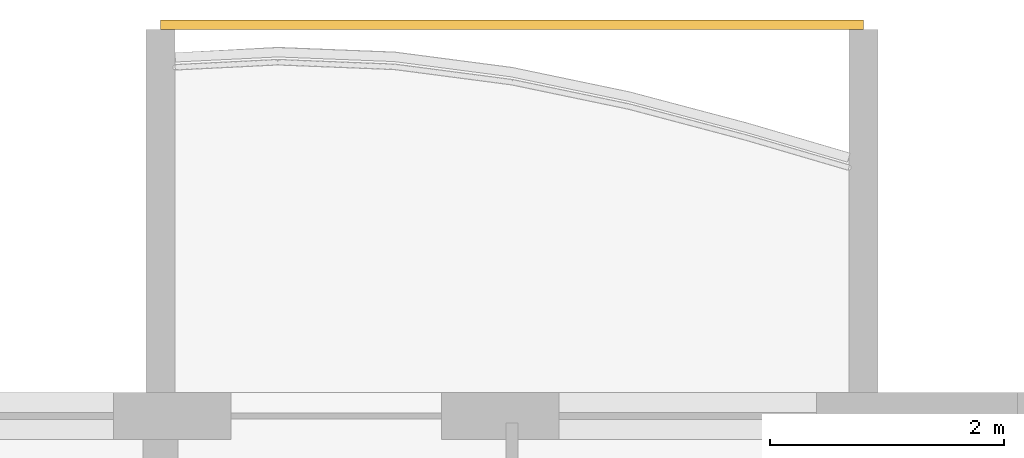
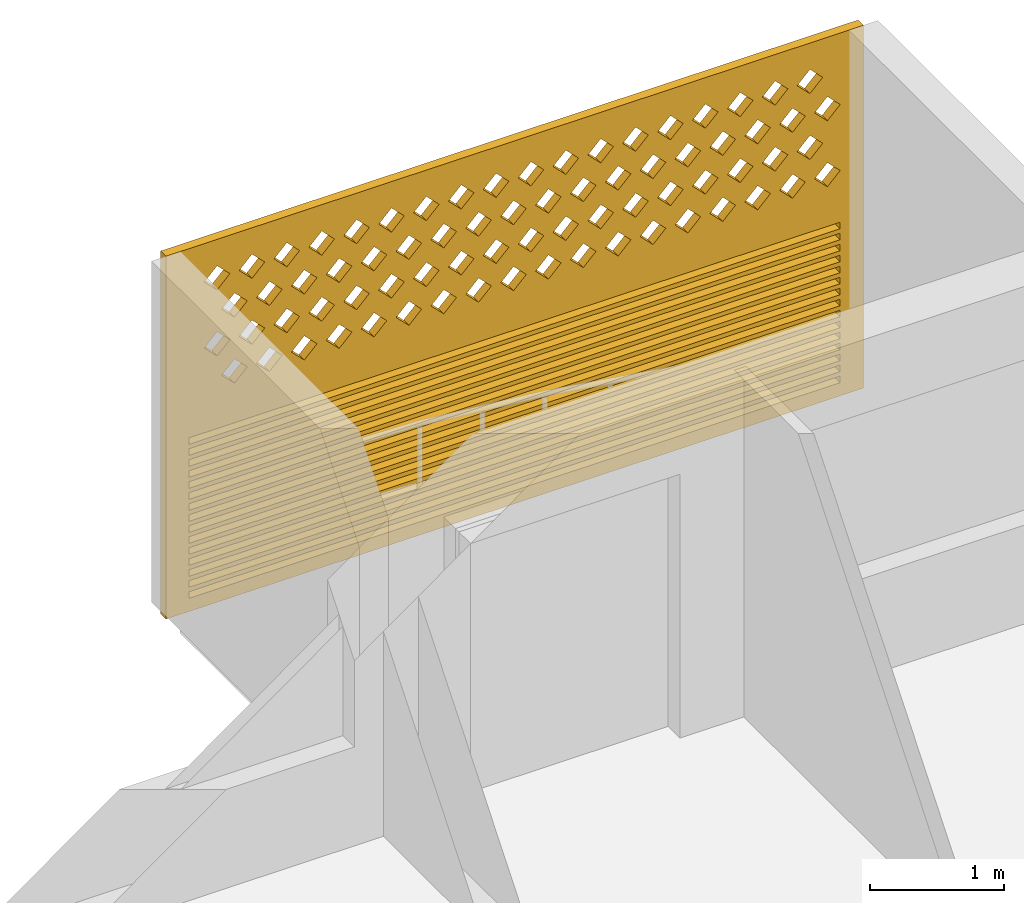
# One storey, part 32 of 32: 1 covering.
"""IFC4 building model written with IfcOpenShell, lengths in metres."""

import ifcopenshell
import ifcopenshell.guid

model = None  # the IFC model being written
_history = None  # IfcOwnerHistory: only IFC2X3 demands one
_inside = {}  # id of a spatial element -> (the spatial element, [elements in it])
_under = {}  # id of a project, library or spatial element -> (it, [spatial elements below it])
_declared = {}  # id of a project -> (the project, [libraries it declares])
_typed = {}  # id of a type object -> (the type object, [elements of that type])
_made_of = {}  # id of a material, layer set ... -> (it, [elements and type objects made of it])


def new_model(schema):
    """Start an empty IFC model of exactly this schema.

    Asked for "IFC4X3", IfcOpenShell would pick the latest addendum, in which some entities
    have other attributes; the version numbers below select the first issue.
    IFC2X3 requires an IfcOwnerHistory on every rooted entity: one is made here for all.
    """
    global model, _history
    if schema == "IFC4X3":
        model = ifcopenshell.file(schema_version=(4, 3, 0, 0))
    else:
        model = ifcopenshell.file(schema=schema)
    _inside.clear()
    _under.clear()
    _declared.clear()
    _typed.clear()
    _made_of.clear()
    _history = None
    if model.schema == "IFC2X3":
        org = make("IfcOrganization", Name="unknown")
        user = make(
            "IfcPersonAndOrganization",
            ThePerson=make("IfcPerson", FamilyName="unknown"),
            TheOrganization=org,
        )
        app = make(
            "IfcApplication",
            ApplicationDeveloper=org,
            Version="unknown",
            ApplicationFullName="unknown",
            ApplicationIdentifier="unknown",
        )
        _history = make(
            "IfcOwnerHistory",
            OwningUser=user,
            OwningApplication=app,
            ChangeAction="ADDED",
            CreationDate=0,
        )
    return model


def make(cls, **values):
    """One entity of the class cls with the attributes given. An attribute that is None is left unset."""
    return model.create_entity(
        cls, **{name: value for name, value in values.items() if value is not None}
    )


def rooted(cls, **values):
    """An entity with a GlobalId (a new one), such as an element, a storey or a relation."""
    return make(cls, GlobalId=ifcopenshell.guid.new(), OwnerHistory=_history, **values)


def si_unit(unit_type, name, prefix=None):
    """IfcSIUnit, for example si_unit("LENGTHUNIT", "METRE", prefix="MILLI")."""
    return make("IfcSIUnit", UnitType=unit_type, Prefix=prefix, Name=name)


def assignment(units):
    """IfcUnitAssignment: the units of a project."""
    return None if units is None else make("IfcUnitAssignment", Units=units)


def point(xyz):
    """IfcCartesianPoint."""
    return None if xyz is None else make("IfcCartesianPoint", Coordinates=xyz)


def direction(xyz):
    """IfcDirection."""
    return None if xyz is None else make("IfcDirection", DirectionRatios=xyz)


def frame(location, z_axis=None, x_axis=None):
    """IfcAxis2Placement3D, a coordinate frame: its origin and axes. An axis left out is left unset."""
    return make(
        "IfcAxis2Placement3D",
        Location=point(location),
        Axis=direction(z_axis),
        RefDirection=direction(x_axis),
    )


def origin():
    """The frame at (0, 0, 0) with its axes left unset."""
    return frame((0.0, 0.0, 0.0))


def place(relative_to, where):
    """IfcLocalPlacement: puts the frame where relative to a parent placement (None: the world)."""
    return make(
        "IfcLocalPlacement", PlacementRelTo=relative_to, RelativePlacement=where
    )


def context(
    kind, dimensions, precision=None, world=None, true_north=None, identifier=None
):
    """IfcGeometricRepresentationContext, for example the 3D "Model" context."""
    return make(
        "IfcGeometricRepresentationContext",
        ContextIdentifier=identifier,
        ContextType=kind,
        CoordinateSpaceDimension=dimensions,
        Precision=precision,
        WorldCoordinateSystem=world,
        TrueNorth=true_north,
    )


def subcontext(parent, identifier, kind, view, scale=None):
    """IfcGeometricRepresentationSubContext, for example "Body" below "Model"."""
    return make(
        "IfcGeometricRepresentationSubContext",
        ContextIdentifier=identifier,
        ContextType=kind,
        ParentContext=parent,
        TargetScale=scale,
        TargetView=view,
    )


def project(units=None, contexts=None):
    """IfcProject with its units and contexts."""
    return rooted(
        "IfcProject",
        Name="project",
        RepresentationContexts=contexts,
        UnitsInContext=assignment(units),
    )


def spatial(cls, under=None, at=None, **own):
    """A site, building, storey or space (cls), placed at a placement, below another one or the project."""
    s = rooted(cls, ObjectPlacement=at, **own)
    if under is not None:
        _under.setdefault(under.id(), (under, []))[1].append(s)
    return s


def polyline(points):
    """IfcPolyline through the points."""
    return make("IfcPolyline", Points=[point(p) for p in points])


def outline(outer, holes=None, kind="AREA"):
    """IfcArbitraryClosedProfileDef: a profile drawn as a closed curve; with holes, ...WithVoids."""
    if holes is None:
        return make("IfcArbitraryClosedProfileDef", ProfileType=kind, OuterCurve=outer)
    return make(
        "IfcArbitraryProfileDefWithVoids",
        ProfileType=kind,
        OuterCurve=outer,
        InnerCurves=holes,
    )


def extrude(swept, where, along, depth):
    """IfcExtrudedAreaSolid: the profile swept, set in the frame where, extruded along a direction by depth."""
    return make(
        "IfcExtrudedAreaSolid",
        SweptArea=swept,
        Position=where,
        ExtrudedDirection=direction(along),
        Depth=depth,
    )


def shape(context_of_items, identifier, shape_type, items):
    """IfcShapeRepresentation: the items that make up one representation, for example the "Body"."""
    return make(
        "IfcShapeRepresentation",
        ContextOfItems=context_of_items,
        RepresentationIdentifier=identifier,
        RepresentationType=shape_type,
        Items=items,
    )


def source(mapping_origin, context_of_items, identifier, shape_type, items):
    """IfcRepresentationMap: a shape defined once, which mapped items show again and again."""
    return make(
        "IfcRepresentationMap",
        MappingOrigin=mapping_origin,
        MappedRepresentation=shape(context_of_items, identifier, shape_type, items),
    )


def transform(
    local_origin,
    x_axis=None,
    y_axis=None,
    z_axis=None,
    scale=None,
    scale2=None,
    scale3=None,
    uniform=True,
):
    """IfcCartesianTransformationOperator3D, or its non-uniform kind. x_axis, y_axis, z_axis: its Axis1, 2, 3."""
    if uniform:
        return make(
            "IfcCartesianTransformationOperator3D",
            Axis1=direction(x_axis),
            Axis2=direction(y_axis),
            LocalOrigin=point(local_origin),
            Scale=scale,
            Axis3=direction(z_axis),
        )
    return make(
        "IfcCartesianTransformationOperator3DnonUniform",
        Axis1=direction(x_axis),
        Axis2=direction(y_axis),
        LocalOrigin=point(local_origin),
        Scale=scale,
        Axis3=direction(z_axis),
        Scale2=scale2,
        Scale3=scale3,
    )


def mapped(mapping_source, mapping_target):
    """IfcMappedItem: shows the shape of a source again, moved by a transform."""
    return make(
        "IfcMappedItem", MappingSource=mapping_source, MappingTarget=mapping_target
    )


def material(Name=None, Category=None):
    """IfcMaterial."""
    return make("IfcMaterial", Name=Name, Category=Category)


def material_profile(
    of_material, cross_section, Name=None, Category=None, Priority=None
):
    """IfcMaterialProfile: a cross section and its material."""
    return make(
        "IfcMaterialProfile",
        Name=Name,
        Material=of_material,
        Profile=cross_section,
        Priority=Priority,
        Category=Category,
    )


def profile_set(profiles, Name=None, composite=None):
    """IfcMaterialProfileSet."""
    return make(
        "IfcMaterialProfileSet",
        Name=Name,
        MaterialProfiles=profiles,
        CompositeProfile=composite,
    )


def made_of(thing, what):
    """Note that an element or type object is made of a material, layer set ...; save() writes the relation."""
    if what is not None:
        _made_of.setdefault(what.id(), (what, []))[1].append(thing)
    return thing


def type_object(cls, material=None, **own):
    """A type object (cls), such as IfcWallType, which elements share."""
    return made_of(rooted(cls, **own), material)


def element(
    cls,
    number,
    at=None,
    inside=None,
    cuts=None,
    type_object=None,
    material=None,
    context=None,
    identifier="Body",
    shape_type=None,
    held_by="IfcProductDefinitionShape",
    body=None,
    shapes=None,
    **own,
):
    """One element of the class cls, such as IfcWall. Its Tag is "e" and its number.

    at: its placement. inside: the storey or other place that contains it. cuts: it is an
    opening in that element (IfcRelVoidsElement). A single representation is given by context,
    identifier, shape_type and body (its items); several are given by shapes. held_by: the class
    of the entity that holds the representations. save() writes the other relations.
    """
    e = rooted(cls, Tag="e%d" % number, ObjectPlacement=at, **own)
    if body is not None:
        shapes = [shape(context, identifier, shape_type, body)]
    if shapes is not None:
        e.Representation = make(held_by, Representations=shapes)
    if inside is not None:
        _inside.setdefault(inside.id(), (inside, []))[1].append(e)
    if cuts is not None:
        rooted(
            "IfcRelVoidsElement", RelatingBuildingElement=cuts, RelatedOpeningElement=e
        )
    if type_object is not None:
        _typed.setdefault(type_object.id(), (type_object, []))[1].append(e)
    return made_of(e, material)


def aggregate(whole, parts):
    """IfcRelAggregates: a whole, such as a stair, and the parts it consists of."""
    return rooted("IfcRelAggregates", RelatingObject=whole, RelatedObjects=parts)


def save(model, path):
    """Write the relations noted so far, then the file.

    IfcRelAggregates (storeys below a building ...), IfcRelContainedInSpatialStructure (elements
    in a storey), IfcRelDefinesByType, IfcRelAssociatesMaterial and IfcRelDeclares: one each for
    every whole, place, type object, material and project.
    """
    for whole, parts in _under.values():
        aggregate(whole, parts)
    for where, things in _inside.values():
        rooted(
            "IfcRelContainedInSpatialStructure",
            RelatedElements=things,
            RelatingStructure=where,
        )
    for kind, things in _typed.values():
        rooted("IfcRelDefinesByType", RelatedObjects=things, RelatingType=kind)
    for what, things in _made_of.values():
        rooted("IfcRelAssociatesMaterial", RelatedObjects=things, RelatingMaterial=what)
    for by, libraries in _declared.values():
        rooted("IfcRelDeclares", RelatingContext=by, RelatedDefinitions=libraries)
    model.write(path)


model = new_model("IFC4")

# Units and contexts
model_context = context("Model", 3, precision=1e-05, world=origin(), true_north=direction((0.0, 1.0)))
body_context = subcontext(model_context, "Body", "Model", "MODEL_VIEW")
ifc_project = project(units=[si_unit("LENGTHUNIT", "METRE"), si_unit("AREAUNIT", "SQUARE_METRE"), si_unit("VOLUMEUNIT", "CUBIC_METRE"), si_unit("PLANEANGLEUNIT", "RADIAN"), si_unit("MASSUNIT", "GRAM", prefix="KILO")], contexts=[model_context])

# Site, building, storey
site_placement = place(None, origin())
site = spatial("IfcSite", under=ifc_project, at=site_placement, CompositionType="ELEMENT")
building_placement = place(site_placement, origin())
building = spatial("IfcBuilding", under=site, at=building_placement, Name="Poui Terraces", CompositionType="ELEMENT")
storey_placement = place(building_placement, frame((0.0, 0.0, 125.699951171875)))
storey = spatial("IfcBuildingStorey", under=building, at=storey_placement, Name="L34", CompositionType="ELEMENT", Elevation=125.699951171875)

# Covering
ifc_material = material(Name="Terracotta screen", Category="masonry")
ifc_material_profile = material_profile(ifc_material, outline(polyline([(-3.0, -1.64990234375), (3.0, -1.64990234375), (3.0, 1.64990234375), (-3.0, 1.64990234375), (-3.0, -1.64990234375)]), holes=[polyline([(-2.800048828125, 0.39990234375), (-2.68994140625, 0.2900390625), (-2.580078125, 0.39990234375), (-2.68994140625, 0.510009765625), (-2.800048828125, 0.39990234375)]), polyline([(-2.5, 0.39990234375), (-2.389892578125, 0.2900390625), (-2.280029296875, 0.39990234375), (-2.389892578125, 0.510009765625), (-2.5, 0.39990234375)]), polyline([(-2.199951171875, 0.39990234375), (-2.090087890625, 0.2900390625), (-1.97998046875, 0.39990234375), (-2.090087890625, 0.510009765625), (-2.199951171875, 0.39990234375)]), polyline([(-1.89990234375, 0.39990234375), (-1.7900390625, 0.2900390625), (-1.679931640625, 0.39990234375), (-1.7900390625, 0.510009765625), (-1.89990234375, 0.39990234375)]), polyline([(-1.60009765625, 0.39990234375), (-1.489990234375, 0.2900390625), (-1.3798828125, 0.39990234375), (-1.489990234375, 0.510009765625), (-1.60009765625, 0.39990234375)]), polyline([(-1.300048828125, 0.39990234375), (-1.18994140625, 0.2900390625), (-1.080078125, 0.39990234375), (-1.18994140625, 0.510009765625), (-1.300048828125, 0.39990234375)]), polyline([(-1.0, 0.39990234375), (-0.889892578125, 0.2900390625), (-0.780029296875, 0.39990234375), (-0.889892578125, 0.510009765625), (-1.0, 0.39990234375)]), polyline([(-0.699951171875, 0.39990234375), (-0.590087890625, 0.2900390625), (-0.47998046875, 0.39990234375), (-0.590087890625, 0.510009765625), (-0.699951171875, 0.39990234375)]), polyline([(-0.39990234375, 0.39990234375), (-0.2900390625, 0.2900390625), (-0.179931640625, 0.39990234375), (-0.2900390625, 0.510009765625), (-0.39990234375, 0.39990234375)]), polyline([(-0.10009765625, 0.39990234375), (0.010009765625, 0.2900390625), (0.1201171875, 0.39990234375), (0.010009765625, 0.510009765625), (-0.10009765625, 0.39990234375)]), polyline([(0.199951171875, 0.39990234375), (0.31005859375, 0.2900390625), (0.419921875, 0.39990234375), (0.31005859375, 0.510009765625), (0.199951171875, 0.39990234375)]), polyline([(0.5, 0.39990234375), (0.610107421875, 0.2900390625), (0.719970703125, 0.39990234375), (0.610107421875, 0.510009765625), (0.5, 0.39990234375)]), polyline([(0.800048828125, 0.39990234375), (0.909912109375, 0.2900390625), (1.02001953125, 0.39990234375), (0.909912109375, 0.510009765625), (0.800048828125, 0.39990234375)]), polyline([(1.10009765625, 0.39990234375), (1.2099609375, 0.2900390625), (1.320068359375, 0.39990234375), (1.2099609375, 0.510009765625), (1.10009765625, 0.39990234375)]), polyline([(1.39990234375, 0.39990234375), (1.510009765625, 0.2900390625), (1.6201171875, 0.39990234375), (1.510009765625, 0.510009765625), (1.39990234375, 0.39990234375)]), polyline([(1.699951171875, 0.39990234375), (1.81005859375, 0.2900390625), (1.919921875, 0.39990234375), (1.81005859375, 0.510009765625), (1.699951171875, 0.39990234375)]), polyline([(2.0, 0.39990234375), (2.110107421875, 0.2900390625), (2.219970703125, 0.39990234375), (2.110107421875, 0.510009765625), (2.0, 0.39990234375)]), polyline([(2.300048828125, 0.39990234375), (2.409912109375, 0.2900390625), (2.52001953125, 0.39990234375), (2.409912109375, 0.510009765625), (2.300048828125, 0.39990234375)]), polyline([(-2.64990234375, 0.699951171875), (-2.5400390625, 0.590087890625), (-2.429931640625, 0.699951171875), (-2.5400390625, 0.81005859375), (-2.64990234375, 0.699951171875)]), polyline([(-2.35009765625, 0.699951171875), (-2.239990234375, 0.590087890625), (-2.1298828125, 0.699951171875), (-2.239990234375, 0.81005859375), (-2.35009765625, 0.699951171875)]), polyline([(-2.050048828125, 0.699951171875), (-1.93994140625, 0.590087890625), (-1.830078125, 0.699951171875), (-1.93994140625, 0.81005859375), (-2.050048828125, 0.699951171875)]), polyline([(-1.75, 0.699951171875), (-1.639892578125, 0.590087890625), (-1.530029296875, 0.699951171875), (-1.639892578125, 0.81005859375), (-1.75, 0.699951171875)]), polyline([(-1.449951171875, 0.699951171875), (-1.340087890625, 0.590087890625), (-1.22998046875, 0.699951171875), (-1.340087890625, 0.81005859375), (-1.449951171875, 0.699951171875)]), polyline([(-1.14990234375, 0.699951171875), (-1.0400390625, 0.590087890625), (-0.929931640625, 0.699951171875), (-1.0400390625, 0.81005859375), (-1.14990234375, 0.699951171875)]), polyline([(-0.85009765625, 0.699951171875), (-0.739990234375, 0.590087890625), (-0.6298828125, 0.699951171875), (-0.739990234375, 0.81005859375), (-0.85009765625, 0.699951171875)]), polyline([(-0.550048828125, 0.699951171875), (-0.43994140625, 0.590087890625), (-0.330078125, 0.699951171875), (-0.43994140625, 0.81005859375), (-0.550048828125, 0.699951171875)]), polyline([(-0.25, 0.699951171875), (-0.139892578125, 0.590087890625), (-0.030029296875, 0.699951171875), (-0.139892578125, 0.81005859375), (-0.25, 0.699951171875)]), polyline([(0.050048828125, 0.699951171875), (0.159912109375, 0.590087890625), (0.27001953125, 0.699951171875), (0.159912109375, 0.81005859375), (0.050048828125, 0.699951171875)]), polyline([(0.35009765625, 0.699951171875), (0.4599609375, 0.590087890625), (0.570068359375, 0.699951171875), (0.4599609375, 0.81005859375), (0.35009765625, 0.699951171875)]), polyline([(0.64990234375, 0.699951171875), (0.760009765625, 0.590087890625), (0.8701171875, 0.699951171875), (0.760009765625, 0.81005859375), (0.64990234375, 0.699951171875)]), polyline([(0.949951171875, 0.699951171875), (1.06005859375, 0.590087890625), (1.169921875, 0.699951171875), (1.06005859375, 0.81005859375), (0.949951171875, 0.699951171875)]), polyline([(1.25, 0.699951171875), (1.360107421875, 0.590087890625), (1.469970703125, 0.699951171875), (1.360107421875, 0.81005859375), (1.25, 0.699951171875)]), polyline([(1.550048828125, 0.699951171875), (1.659912109375, 0.590087890625), (1.77001953125, 0.699951171875), (1.659912109375, 0.81005859375), (1.550048828125, 0.699951171875)]), polyline([(1.85009765625, 0.699951171875), (1.9599609375, 0.590087890625), (2.070068359375, 0.699951171875), (1.9599609375, 0.81005859375), (1.85009765625, 0.699951171875)]), polyline([(2.14990234375, 0.699951171875), (2.260009765625, 0.590087890625), (2.3701171875, 0.699951171875), (2.260009765625, 0.81005859375), (2.14990234375, 0.699951171875)]), polyline([(2.449951171875, 0.699951171875), (2.56005859375, 0.590087890625), (2.669921875, 0.699951171875), (2.56005859375, 0.81005859375), (2.449951171875, 0.699951171875)]), polyline([(-2.800048828125, 1.0), (-2.68994140625, 0.889892578125), (-2.580078125, 1.0), (-2.68994140625, 1.110107421875), (-2.800048828125, 1.0)]), polyline([(-2.5, 1.0), (-2.389892578125, 0.889892578125), (-2.280029296875, 1.0), (-2.389892578125, 1.110107421875), (-2.5, 1.0)]), polyline([(-2.199951171875, 1.0), (-2.090087890625, 0.889892578125), (-1.97998046875, 1.0), (-2.090087890625, 1.110107421875), (-2.199951171875, 1.0)]), polyline([(-1.89990234375, 1.0), (-1.7900390625, 0.889892578125), (-1.679931640625, 1.0), (-1.7900390625, 1.110107421875), (-1.89990234375, 1.0)]), polyline([(-1.60009765625, 1.0), (-1.489990234375, 0.889892578125), (-1.3798828125, 1.0), (-1.489990234375, 1.110107421875), (-1.60009765625, 1.0)]), polyline([(-1.300048828125, 1.0), (-1.18994140625, 0.889892578125), (-1.080078125, 1.0), (-1.18994140625, 1.110107421875), (-1.300048828125, 1.0)]), polyline([(-1.0, 1.0), (-0.889892578125, 0.889892578125), (-0.780029296875, 1.0), (-0.889892578125, 1.110107421875), (-1.0, 1.0)]), polyline([(-0.699951171875, 1.0), (-0.590087890625, 0.889892578125), (-0.47998046875, 1.0), (-0.590087890625, 1.110107421875), (-0.699951171875, 1.0)]), polyline([(-0.39990234375, 1.0), (-0.2900390625, 0.889892578125), (-0.179931640625, 1.0), (-0.2900390625, 1.110107421875), (-0.39990234375, 1.0)]), polyline([(-0.10009765625, 1.0), (0.010009765625, 0.889892578125), (0.1201171875, 1.0), (0.010009765625, 1.110107421875), (-0.10009765625, 1.0)]), polyline([(0.199951171875, 1.0), (0.31005859375, 0.889892578125), (0.419921875, 1.0), (0.31005859375, 1.110107421875), (0.199951171875, 1.0)]), polyline([(0.5, 1.0), (0.610107421875, 0.889892578125), (0.719970703125, 1.0), (0.610107421875, 1.110107421875), (0.5, 1.0)]), polyline([(0.800048828125, 1.0), (0.909912109375, 0.889892578125), (1.02001953125, 1.0), (0.909912109375, 1.110107421875), (0.800048828125, 1.0)]), polyline([(1.10009765625, 1.0), (1.2099609375, 0.889892578125), (1.320068359375, 1.0), (1.2099609375, 1.110107421875), (1.10009765625, 1.0)]), polyline([(1.39990234375, 1.0), (1.510009765625, 0.889892578125), (1.6201171875, 1.0), (1.510009765625, 1.110107421875), (1.39990234375, 1.0)]), polyline([(1.699951171875, 1.0), (1.81005859375, 0.889892578125), (1.919921875, 1.0), (1.81005859375, 1.110107421875), (1.699951171875, 1.0)]), polyline([(2.0, 1.0), (2.110107421875, 0.889892578125), (2.219970703125, 1.0), (2.110107421875, 1.110107421875), (2.0, 1.0)]), polyline([(2.300048828125, 1.0), (2.409912109375, 0.889892578125), (2.52001953125, 1.0), (2.409912109375, 1.110107421875), (2.300048828125, 1.0)]), polyline([(-2.64990234375, 1.300048828125), (-2.5400390625, 1.18994140625), (-2.429931640625, 1.300048828125), (-2.5400390625, 1.409912109375), (-2.64990234375, 1.300048828125)]), polyline([(-2.35009765625, 1.300048828125), (-2.239990234375, 1.18994140625), (-2.1298828125, 1.300048828125), (-2.239990234375, 1.409912109375), (-2.35009765625, 1.300048828125)]), polyline([(-2.050048828125, 1.300048828125), (-1.93994140625, 1.18994140625), (-1.830078125, 1.300048828125), (-1.93994140625, 1.409912109375), (-2.050048828125, 1.300048828125)]), polyline([(-1.75, 1.300048828125), (-1.639892578125, 1.18994140625), (-1.530029296875, 1.300048828125), (-1.639892578125, 1.409912109375), (-1.75, 1.300048828125)]), polyline([(-1.449951171875, 1.300048828125), (-1.340087890625, 1.18994140625), (-1.22998046875, 1.300048828125), (-1.340087890625, 1.409912109375), (-1.449951171875, 1.300048828125)]), polyline([(-1.14990234375, 1.300048828125), (-1.0400390625, 1.18994140625), (-0.929931640625, 1.300048828125), (-1.0400390625, 1.409912109375), (-1.14990234375, 1.300048828125)]), polyline([(-0.85009765625, 1.300048828125), (-0.739990234375, 1.18994140625), (-0.6298828125, 1.300048828125), (-0.739990234375, 1.409912109375), (-0.85009765625, 1.300048828125)]), polyline([(-0.550048828125, 1.300048828125), (-0.43994140625, 1.18994140625), (-0.330078125, 1.300048828125), (-0.43994140625, 1.409912109375), (-0.550048828125, 1.300048828125)]), polyline([(-0.25, 1.300048828125), (-0.139892578125, 1.18994140625), (-0.030029296875, 1.300048828125), (-0.139892578125, 1.409912109375), (-0.25, 1.300048828125)]), polyline([(0.050048828125, 1.300048828125), (0.159912109375, 1.18994140625), (0.27001953125, 1.300048828125), (0.159912109375, 1.409912109375), (0.050048828125, 1.300048828125)]), polyline([(0.35009765625, 1.300048828125), (0.4599609375, 1.18994140625), (0.570068359375, 1.300048828125), (0.4599609375, 1.409912109375), (0.35009765625, 1.300048828125)]), polyline([(0.64990234375, 1.300048828125), (0.760009765625, 1.18994140625), (0.8701171875, 1.300048828125), (0.760009765625, 1.409912109375), (0.64990234375, 1.300048828125)]), polyline([(0.949951171875, 1.300048828125), (1.06005859375, 1.18994140625), (1.169921875, 1.300048828125), (1.06005859375, 1.409912109375), (0.949951171875, 1.300048828125)]), polyline([(1.25, 1.300048828125), (1.360107421875, 1.18994140625), (1.469970703125, 1.300048828125), (1.360107421875, 1.409912109375), (1.25, 1.300048828125)]), polyline([(1.550048828125, 1.300048828125), (1.659912109375, 1.18994140625), (1.77001953125, 1.300048828125), (1.659912109375, 1.409912109375), (1.550048828125, 1.300048828125)]), polyline([(1.85009765625, 1.300048828125), (1.9599609375, 1.18994140625), (2.070068359375, 1.300048828125), (1.9599609375, 1.409912109375), (1.85009765625, 1.300048828125)]), polyline([(2.14990234375, 1.300048828125), (2.260009765625, 1.18994140625), (2.3701171875, 1.300048828125), (2.260009765625, 1.409912109375), (2.14990234375, 1.300048828125)]), polyline([(2.449951171875, 1.300048828125), (2.56005859375, 1.18994140625), (2.669921875, 1.300048828125), (2.56005859375, 1.409912109375), (2.449951171875, 1.300048828125)]), polyline([(-2.800048828125, -1.530029296875), (2.800048828125, -1.530029296875), (2.800048828125, -1.469970703125), (-2.800048828125, -1.469970703125), (-2.800048828125, -1.530029296875)]), polyline([(-2.800048828125, -1.429931640625), (2.800048828125, -1.429931640625), (2.800048828125, -1.3701171875), (-2.800048828125, -1.3701171875), (-2.800048828125, -1.429931640625)]), polyline([(-2.800048828125, -1.330078125), (2.800048828125, -1.330078125), (2.800048828125, -1.27001953125), (-2.800048828125, -1.27001953125), (-2.800048828125, -1.330078125)]), polyline([(-2.800048828125, -1.22998046875), (2.800048828125, -1.22998046875), (2.800048828125, -1.169921875), (-2.800048828125, -1.169921875), (-2.800048828125, -1.22998046875)]), polyline([(-2.800048828125, -1.1298828125), (2.800048828125, -1.1298828125), (2.800048828125, -1.070068359375), (-2.800048828125, -1.070068359375), (-2.800048828125, -1.1298828125)]), polyline([(-2.800048828125, -1.030029296875), (2.800048828125, -1.030029296875), (2.800048828125, -0.969970703125), (-2.800048828125, -0.969970703125), (-2.800048828125, -1.030029296875)]), polyline([(-2.800048828125, -0.929931640625), (2.800048828125, -0.929931640625), (2.800048828125, -0.8701171875), (-2.800048828125, -0.8701171875), (-2.800048828125, -0.929931640625)]), polyline([(-2.800048828125, -0.830078125), (2.800048828125, -0.830078125), (2.800048828125, -0.77001953125), (-2.800048828125, -0.77001953125), (-2.800048828125, -0.830078125)]), polyline([(-2.800048828125, -0.72998046875), (2.800048828125, -0.72998046875), (2.800048828125, -0.669921875), (-2.800048828125, -0.669921875), (-2.800048828125, -0.72998046875)]), polyline([(-2.800048828125, -0.6298828125), (2.800048828125, -0.6298828125), (2.800048828125, -0.570068359375), (-2.800048828125, -0.570068359375), (-2.800048828125, -0.6298828125)]), polyline([(-2.800048828125, -0.530029296875), (2.800048828125, -0.530029296875), (2.800048828125, -0.469970703125), (-2.800048828125, -0.469970703125), (-2.800048828125, -0.530029296875)]), polyline([(-2.800048828125, -0.429931640625), (2.800048828125, -0.429931640625), (2.800048828125, -0.3701171875), (-2.800048828125, -0.3701171875), (-2.800048828125, -0.429931640625)]), polyline([(-2.800048828125, -0.330078125), (2.800048828125, -0.330078125), (2.800048828125, -0.27001953125), (-2.800048828125, -0.27001953125), (-2.800048828125, -0.330078125)]), polyline([(-2.800048828125, -0.22998046875), (2.800048828125, -0.22998046875), (2.800048828125, -0.169921875), (-2.800048828125, -0.169921875), (-2.800048828125, -0.22998046875)]), polyline([(-2.800048828125, -0.1298828125), (2.800048828125, -0.1298828125), (2.800048828125, -0.070068359375), (-2.800048828125, -0.070068359375), (-2.800048828125, -0.1298828125)])]), Name="TERRACOTTA SCREEN AND JALOUSIE LOUVRE 6000X3300")
ifc_profile_set = profile_set([ifc_material_profile], Name="Terracotta screen")
covering_type = type_object("IfcCoveringType", Name="TERRACOTTA SCREEN AND JALOUSIE LOUVRE 6000X3300", PredefinedType="CLADDING", material=ifc_profile_set)
shared_shape = source(origin(), body_context, "Body", "SweptSolid", [
    extrude(outline(polyline([(-3.0, -1.64990234375), (3.0, -1.64990234375), (3.0, 1.64990234375), (-3.0, 1.64990234375), (-3.0, -1.64990234375)]), holes=[polyline([(-2.800048828125, 0.39990234375), (-2.68994140625, 0.2900390625), (-2.580078125, 0.39990234375), (-2.68994140625, 0.510009765625), (-2.800048828125, 0.39990234375)]), polyline([(-2.5, 0.39990234375), (-2.389892578125, 0.2900390625), (-2.280029296875, 0.39990234375), (-2.389892578125, 0.510009765625), (-2.5, 0.39990234375)]), polyline([(-2.199951171875, 0.39990234375), (-2.090087890625, 0.2900390625), (-1.97998046875, 0.39990234375), (-2.090087890625, 0.510009765625), (-2.199951171875, 0.39990234375)]), polyline([(-1.89990234375, 0.39990234375), (-1.7900390625, 0.2900390625), (-1.679931640625, 0.39990234375), (-1.7900390625, 0.510009765625), (-1.89990234375, 0.39990234375)]), polyline([(-1.60009765625, 0.39990234375), (-1.489990234375, 0.2900390625), (-1.3798828125, 0.39990234375), (-1.489990234375, 0.510009765625), (-1.60009765625, 0.39990234375)]), polyline([(-1.300048828125, 0.39990234375), (-1.18994140625, 0.2900390625), (-1.080078125, 0.39990234375), (-1.18994140625, 0.510009765625), (-1.300048828125, 0.39990234375)]), polyline([(-1.0, 0.39990234375), (-0.889892578125, 0.2900390625), (-0.780029296875, 0.39990234375), (-0.889892578125, 0.510009765625), (-1.0, 0.39990234375)]), polyline([(-0.699951171875, 0.39990234375), (-0.590087890625, 0.2900390625), (-0.47998046875, 0.39990234375), (-0.590087890625, 0.510009765625), (-0.699951171875, 0.39990234375)]), polyline([(-0.39990234375, 0.39990234375), (-0.2900390625, 0.2900390625), (-0.179931640625, 0.39990234375), (-0.2900390625, 0.510009765625), (-0.39990234375, 0.39990234375)]), polyline([(-0.10009765625, 0.39990234375), (0.010009765625, 0.2900390625), (0.1201171875, 0.39990234375), (0.010009765625, 0.510009765625), (-0.10009765625, 0.39990234375)]), polyline([(0.199951171875, 0.39990234375), (0.31005859375, 0.2900390625), (0.419921875, 0.39990234375), (0.31005859375, 0.510009765625), (0.199951171875, 0.39990234375)]), polyline([(0.5, 0.39990234375), (0.610107421875, 0.2900390625), (0.719970703125, 0.39990234375), (0.610107421875, 0.510009765625), (0.5, 0.39990234375)]), polyline([(0.800048828125, 0.39990234375), (0.909912109375, 0.2900390625), (1.02001953125, 0.39990234375), (0.909912109375, 0.510009765625), (0.800048828125, 0.39990234375)]), polyline([(1.10009765625, 0.39990234375), (1.2099609375, 0.2900390625), (1.320068359375, 0.39990234375), (1.2099609375, 0.510009765625), (1.10009765625, 0.39990234375)]), polyline([(1.39990234375, 0.39990234375), (1.510009765625, 0.2900390625), (1.6201171875, 0.39990234375), (1.510009765625, 0.510009765625), (1.39990234375, 0.39990234375)]), polyline([(1.699951171875, 0.39990234375), (1.81005859375, 0.2900390625), (1.919921875, 0.39990234375), (1.81005859375, 0.510009765625), (1.699951171875, 0.39990234375)]), polyline([(2.0, 0.39990234375), (2.110107421875, 0.2900390625), (2.219970703125, 0.39990234375), (2.110107421875, 0.510009765625), (2.0, 0.39990234375)]), polyline([(2.300048828125, 0.39990234375), (2.409912109375, 0.2900390625), (2.52001953125, 0.39990234375), (2.409912109375, 0.510009765625), (2.300048828125, 0.39990234375)]), polyline([(-2.64990234375, 0.699951171875), (-2.5400390625, 0.590087890625), (-2.429931640625, 0.699951171875), (-2.5400390625, 0.81005859375), (-2.64990234375, 0.699951171875)]), polyline([(-2.35009765625, 0.699951171875), (-2.239990234375, 0.590087890625), (-2.1298828125, 0.699951171875), (-2.239990234375, 0.81005859375), (-2.35009765625, 0.699951171875)]), polyline([(-2.050048828125, 0.699951171875), (-1.93994140625, 0.590087890625), (-1.830078125, 0.699951171875), (-1.93994140625, 0.81005859375), (-2.050048828125, 0.699951171875)]), polyline([(-1.75, 0.699951171875), (-1.639892578125, 0.590087890625), (-1.530029296875, 0.699951171875), (-1.639892578125, 0.81005859375), (-1.75, 0.699951171875)]), polyline([(-1.449951171875, 0.699951171875), (-1.340087890625, 0.590087890625), (-1.22998046875, 0.699951171875), (-1.340087890625, 0.81005859375), (-1.449951171875, 0.699951171875)]), polyline([(-1.14990234375, 0.699951171875), (-1.0400390625, 0.590087890625), (-0.929931640625, 0.699951171875), (-1.0400390625, 0.81005859375), (-1.14990234375, 0.699951171875)]), polyline([(-0.85009765625, 0.699951171875), (-0.739990234375, 0.590087890625), (-0.6298828125, 0.699951171875), (-0.739990234375, 0.81005859375), (-0.85009765625, 0.699951171875)]), polyline([(-0.550048828125, 0.699951171875), (-0.43994140625, 0.590087890625), (-0.330078125, 0.699951171875), (-0.43994140625, 0.81005859375), (-0.550048828125, 0.699951171875)]), polyline([(-0.25, 0.699951171875), (-0.139892578125, 0.590087890625), (-0.030029296875, 0.699951171875), (-0.139892578125, 0.81005859375), (-0.25, 0.699951171875)]), polyline([(0.050048828125, 0.699951171875), (0.159912109375, 0.590087890625), (0.27001953125, 0.699951171875), (0.159912109375, 0.81005859375), (0.050048828125, 0.699951171875)]), polyline([(0.35009765625, 0.699951171875), (0.4599609375, 0.590087890625), (0.570068359375, 0.699951171875), (0.4599609375, 0.81005859375), (0.35009765625, 0.699951171875)]), polyline([(0.64990234375, 0.699951171875), (0.760009765625, 0.590087890625), (0.8701171875, 0.699951171875), (0.760009765625, 0.81005859375), (0.64990234375, 0.699951171875)]), polyline([(0.949951171875, 0.699951171875), (1.06005859375, 0.590087890625), (1.169921875, 0.699951171875), (1.06005859375, 0.81005859375), (0.949951171875, 0.699951171875)]), polyline([(1.25, 0.699951171875), (1.360107421875, 0.590087890625), (1.469970703125, 0.699951171875), (1.360107421875, 0.81005859375), (1.25, 0.699951171875)]), polyline([(1.550048828125, 0.699951171875), (1.659912109375, 0.590087890625), (1.77001953125, 0.699951171875), (1.659912109375, 0.81005859375), (1.550048828125, 0.699951171875)]), polyline([(1.85009765625, 0.699951171875), (1.9599609375, 0.590087890625), (2.070068359375, 0.699951171875), (1.9599609375, 0.81005859375), (1.85009765625, 0.699951171875)]), polyline([(2.14990234375, 0.699951171875), (2.260009765625, 0.590087890625), (2.3701171875, 0.699951171875), (2.260009765625, 0.81005859375), (2.14990234375, 0.699951171875)]), polyline([(2.449951171875, 0.699951171875), (2.56005859375, 0.590087890625), (2.669921875, 0.699951171875), (2.56005859375, 0.81005859375), (2.449951171875, 0.699951171875)]), polyline([(-2.800048828125, 1.0), (-2.68994140625, 0.889892578125), (-2.580078125, 1.0), (-2.68994140625, 1.110107421875), (-2.800048828125, 1.0)]), polyline([(-2.5, 1.0), (-2.389892578125, 0.889892578125), (-2.280029296875, 1.0), (-2.389892578125, 1.110107421875), (-2.5, 1.0)]), polyline([(-2.199951171875, 1.0), (-2.090087890625, 0.889892578125), (-1.97998046875, 1.0), (-2.090087890625, 1.110107421875), (-2.199951171875, 1.0)]), polyline([(-1.89990234375, 1.0), (-1.7900390625, 0.889892578125), (-1.679931640625, 1.0), (-1.7900390625, 1.110107421875), (-1.89990234375, 1.0)]), polyline([(-1.60009765625, 1.0), (-1.489990234375, 0.889892578125), (-1.3798828125, 1.0), (-1.489990234375, 1.110107421875), (-1.60009765625, 1.0)]), polyline([(-1.300048828125, 1.0), (-1.18994140625, 0.889892578125), (-1.080078125, 1.0), (-1.18994140625, 1.110107421875), (-1.300048828125, 1.0)]), polyline([(-1.0, 1.0), (-0.889892578125, 0.889892578125), (-0.780029296875, 1.0), (-0.889892578125, 1.110107421875), (-1.0, 1.0)]), polyline([(-0.699951171875, 1.0), (-0.590087890625, 0.889892578125), (-0.47998046875, 1.0), (-0.590087890625, 1.110107421875), (-0.699951171875, 1.0)]), polyline([(-0.39990234375, 1.0), (-0.2900390625, 0.889892578125), (-0.179931640625, 1.0), (-0.2900390625, 1.110107421875), (-0.39990234375, 1.0)]), polyline([(-0.10009765625, 1.0), (0.010009765625, 0.889892578125), (0.1201171875, 1.0), (0.010009765625, 1.110107421875), (-0.10009765625, 1.0)]), polyline([(0.199951171875, 1.0), (0.31005859375, 0.889892578125), (0.419921875, 1.0), (0.31005859375, 1.110107421875), (0.199951171875, 1.0)]), polyline([(0.5, 1.0), (0.610107421875, 0.889892578125), (0.719970703125, 1.0), (0.610107421875, 1.110107421875), (0.5, 1.0)]), polyline([(0.800048828125, 1.0), (0.909912109375, 0.889892578125), (1.02001953125, 1.0), (0.909912109375, 1.110107421875), (0.800048828125, 1.0)]), polyline([(1.10009765625, 1.0), (1.2099609375, 0.889892578125), (1.320068359375, 1.0), (1.2099609375, 1.110107421875), (1.10009765625, 1.0)]), polyline([(1.39990234375, 1.0), (1.510009765625, 0.889892578125), (1.6201171875, 1.0), (1.510009765625, 1.110107421875), (1.39990234375, 1.0)]), polyline([(1.699951171875, 1.0), (1.81005859375, 0.889892578125), (1.919921875, 1.0), (1.81005859375, 1.110107421875), (1.699951171875, 1.0)]), polyline([(2.0, 1.0), (2.110107421875, 0.889892578125), (2.219970703125, 1.0), (2.110107421875, 1.110107421875), (2.0, 1.0)]), polyline([(2.300048828125, 1.0), (2.409912109375, 0.889892578125), (2.52001953125, 1.0), (2.409912109375, 1.110107421875), (2.300048828125, 1.0)]), polyline([(-2.64990234375, 1.300048828125), (-2.5400390625, 1.18994140625), (-2.429931640625, 1.300048828125), (-2.5400390625, 1.409912109375), (-2.64990234375, 1.300048828125)]), polyline([(-2.35009765625, 1.300048828125), (-2.239990234375, 1.18994140625), (-2.1298828125, 1.300048828125), (-2.239990234375, 1.409912109375), (-2.35009765625, 1.300048828125)]), polyline([(-2.050048828125, 1.300048828125), (-1.93994140625, 1.18994140625), (-1.830078125, 1.300048828125), (-1.93994140625, 1.409912109375), (-2.050048828125, 1.300048828125)]), polyline([(-1.75, 1.300048828125), (-1.639892578125, 1.18994140625), (-1.530029296875, 1.300048828125), (-1.639892578125, 1.409912109375), (-1.75, 1.300048828125)]), polyline([(-1.449951171875, 1.300048828125), (-1.340087890625, 1.18994140625), (-1.22998046875, 1.300048828125), (-1.340087890625, 1.409912109375), (-1.449951171875, 1.300048828125)]), polyline([(-1.14990234375, 1.300048828125), (-1.0400390625, 1.18994140625), (-0.929931640625, 1.300048828125), (-1.0400390625, 1.409912109375), (-1.14990234375, 1.300048828125)]), polyline([(-0.85009765625, 1.300048828125), (-0.739990234375, 1.18994140625), (-0.6298828125, 1.300048828125), (-0.739990234375, 1.409912109375), (-0.85009765625, 1.300048828125)]), polyline([(-0.550048828125, 1.300048828125), (-0.43994140625, 1.18994140625), (-0.330078125, 1.300048828125), (-0.43994140625, 1.409912109375), (-0.550048828125, 1.300048828125)]), polyline([(-0.25, 1.300048828125), (-0.139892578125, 1.18994140625), (-0.030029296875, 1.300048828125), (-0.139892578125, 1.409912109375), (-0.25, 1.300048828125)]), polyline([(0.050048828125, 1.300048828125), (0.159912109375, 1.18994140625), (0.27001953125, 1.300048828125), (0.159912109375, 1.409912109375), (0.050048828125, 1.300048828125)]), polyline([(0.35009765625, 1.300048828125), (0.4599609375, 1.18994140625), (0.570068359375, 1.300048828125), (0.4599609375, 1.409912109375), (0.35009765625, 1.300048828125)]), polyline([(0.64990234375, 1.300048828125), (0.760009765625, 1.18994140625), (0.8701171875, 1.300048828125), (0.760009765625, 1.409912109375), (0.64990234375, 1.300048828125)]), polyline([(0.949951171875, 1.300048828125), (1.06005859375, 1.18994140625), (1.169921875, 1.300048828125), (1.06005859375, 1.409912109375), (0.949951171875, 1.300048828125)]), polyline([(1.25, 1.300048828125), (1.360107421875, 1.18994140625), (1.469970703125, 1.300048828125), (1.360107421875, 1.409912109375), (1.25, 1.300048828125)]), polyline([(1.550048828125, 1.300048828125), (1.659912109375, 1.18994140625), (1.77001953125, 1.300048828125), (1.659912109375, 1.409912109375), (1.550048828125, 1.300048828125)]), polyline([(1.85009765625, 1.300048828125), (1.9599609375, 1.18994140625), (2.070068359375, 1.300048828125), (1.9599609375, 1.409912109375), (1.85009765625, 1.300048828125)]), polyline([(2.14990234375, 1.300048828125), (2.260009765625, 1.18994140625), (2.3701171875, 1.300048828125), (2.260009765625, 1.409912109375), (2.14990234375, 1.300048828125)]), polyline([(2.449951171875, 1.300048828125), (2.56005859375, 1.18994140625), (2.669921875, 1.300048828125), (2.56005859375, 1.409912109375), (2.449951171875, 1.300048828125)]), polyline([(-2.800048828125, -1.530029296875), (2.800048828125, -1.530029296875), (2.800048828125, -1.469970703125), (-2.800048828125, -1.469970703125), (-2.800048828125, -1.530029296875)]), polyline([(-2.800048828125, -1.429931640625), (2.800048828125, -1.429931640625), (2.800048828125, -1.3701171875), (-2.800048828125, -1.3701171875), (-2.800048828125, -1.429931640625)]), polyline([(-2.800048828125, -1.330078125), (2.800048828125, -1.330078125), (2.800048828125, -1.27001953125), (-2.800048828125, -1.27001953125), (-2.800048828125, -1.330078125)]), polyline([(-2.800048828125, -1.22998046875), (2.800048828125, -1.22998046875), (2.800048828125, -1.169921875), (-2.800048828125, -1.169921875), (-2.800048828125, -1.22998046875)]), polyline([(-2.800048828125, -1.1298828125), (2.800048828125, -1.1298828125), (2.800048828125, -1.070068359375), (-2.800048828125, -1.070068359375), (-2.800048828125, -1.1298828125)]), polyline([(-2.800048828125, -1.030029296875), (2.800048828125, -1.030029296875), (2.800048828125, -0.969970703125), (-2.800048828125, -0.969970703125), (-2.800048828125, -1.030029296875)]), polyline([(-2.800048828125, -0.929931640625), (2.800048828125, -0.929931640625), (2.800048828125, -0.8701171875), (-2.800048828125, -0.8701171875), (-2.800048828125, -0.929931640625)]), polyline([(-2.800048828125, -0.830078125), (2.800048828125, -0.830078125), (2.800048828125, -0.77001953125), (-2.800048828125, -0.77001953125), (-2.800048828125, -0.830078125)]), polyline([(-2.800048828125, -0.72998046875), (2.800048828125, -0.72998046875), (2.800048828125, -0.669921875), (-2.800048828125, -0.669921875), (-2.800048828125, -0.72998046875)]), polyline([(-2.800048828125, -0.6298828125), (2.800048828125, -0.6298828125), (2.800048828125, -0.570068359375), (-2.800048828125, -0.570068359375), (-2.800048828125, -0.6298828125)]), polyline([(-2.800048828125, -0.530029296875), (2.800048828125, -0.530029296875), (2.800048828125, -0.469970703125), (-2.800048828125, -0.469970703125), (-2.800048828125, -0.530029296875)]), polyline([(-2.800048828125, -0.429931640625), (2.800048828125, -0.429931640625), (2.800048828125, -0.3701171875), (-2.800048828125, -0.3701171875), (-2.800048828125, -0.429931640625)]), polyline([(-2.800048828125, -0.330078125), (2.800048828125, -0.330078125), (2.800048828125, -0.27001953125), (-2.800048828125, -0.27001953125), (-2.800048828125, -0.330078125)]), polyline([(-2.800048828125, -0.22998046875), (2.800048828125, -0.22998046875), (2.800048828125, -0.169921875), (-2.800048828125, -0.169921875), (-2.800048828125, -0.22998046875)]), polyline([(-2.800048828125, -0.1298828125), (2.800048828125, -0.1298828125), (2.800048828125, -0.070068359375), (-2.800048828125, -0.070068359375), (-2.800048828125, -0.1298828125)])]), origin(), (0.0, 0.0, 1.0), 0.080078125),
])
covering_placement = place(storey_placement, frame((81.0, 45.699951171875, 1.449951171875), z_axis=(0.0, 1.0, 0.0), x_axis=(-1.0, 0.0, 0.0)))
element("IfcCovering", 1, at=covering_placement, inside=storey, type_object=covering_type, Name="SOLAR SCREEN AND JALOUSIE LOUVRE", PredefinedType="CLADDING", context=body_context, shape_type="MappedRepresentation", body=[
    mapped(shared_shape, transform((0.0, 0.0, 0.0))),
])

save(model, "model.ifc")
